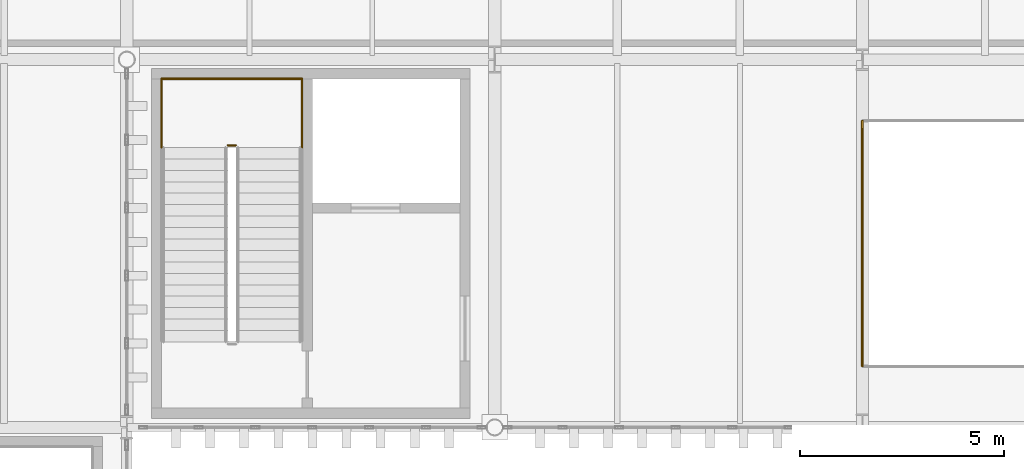
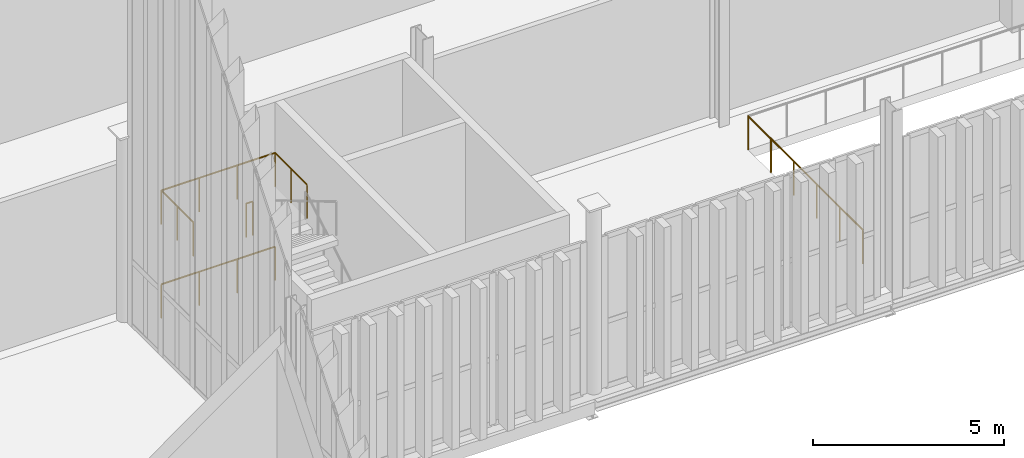
# One storey, part 219 of 237: 6 railings.
"""IFC4 building model written with IfcOpenShell, lengths in metres."""

from ifc_helpers import new_model, si_unit, direction, frame, origin, origin_2d, place, context, subcontext, project, spatial, circle, extrude, material, type_object, element, save


model = new_model("IFC4")

# Units and contexts
model_context = context("Model", 3, precision=1e-05, world=origin(), true_north=direction((0.0, 1.0)))
body_context = subcontext(model_context, "Body", "Model", "MODEL_VIEW")
ifc_project = project(units=[si_unit("LENGTHUNIT", "METRE"), si_unit("AREAUNIT", "SQUARE_METRE"), si_unit("VOLUMEUNIT", "CUBIC_METRE"), si_unit("PLANEANGLEUNIT", "RADIAN"), si_unit("MASSUNIT", "GRAM", prefix="KILO")], contexts=[model_context])

# Site, building, storey
site_placement = place(None, origin())
site = spatial("IfcSite", under=ifc_project, at=site_placement, CompositionType="ELEMENT")
building_placement = place(site_placement, origin())
building = spatial("IfcBuilding", under=site, at=building_placement, Name="Barlavento Convention Centre", CompositionType="ELEMENT")
storey_placement = place(building_placement, frame((0.0, 0.0, 12.0)))
storey = spatial("IfcBuildingStorey", under=building, at=storey_placement, Name="L02", CompositionType="ELEMENT", Elevation=12.0)

# Railings
ifc_material = material(Name="Stainless steel and laminated glass balustrade", Category="steel")
railing_type = type_object("IfcRailingType", Name="ARC-RAL-BAL-1100", PredefinedType="BALUSTRADE", material=ifc_material)
railing_1_placement = place(storey_placement, frame((65.669921875, 51.89990234375, 3.0)))
element("IfcRailing", 1, at=railing_1_placement, inside=storey, type_object=railing_type, Name="L02 ST03 stair guard 2", PredefinedType="BALUSTRADE", context=body_context, shape_type="SweptSolid", body=[
    extrude(circle(Radius=0.02392578125, at=origin_2d()), frame((0.0, 0.0, 1.076171875), z_axis=(-1.0, 0.0, 0.0), x_axis=(0.0, -1.0, 0.0)), (0.0, 0.0, 1.0), 0.199951171875),
    extrude(circle(Radius=0.02099609375, at=origin_2d()), origin(), (0.0, 0.0, 1.0), 1.052001953125),
    extrude(circle(Radius=0.02099609375, at=origin_2d()), frame((-0.199951171875, 0.0, 0.0)), (0.0, 0.0, 1.0), 1.052001953125),
])
for number, where, name in (
    (2, (67.2900390625, 51.85009765625, 3.0), "L02 landing guard GR01"),
    (3, (63.85009765625, 51.85009765625, 3.0), "L02 landing guard GR01"),
):
    element("IfcRailing", number, at=place(storey_placement, frame(where)), inside=storey, type_object=railing_type, Name=name, PredefinedType="BALUSTRADE", context=body_context, shape_type="SweptSolid", body=[
        extrude(circle(Radius=0.02392578125, at=origin_2d()), frame((0.0, 0.0, 1.076171875), z_axis=(0.0, 1.0, 0.0), x_axis=(-1.0, 0.0, 0.0)), (0.0, 0.0, 1.0), 1.679931640625),
        extrude(circle(Radius=0.02099609375, at=origin_2d()), origin(), (0.0, 0.0, 1.0), 1.052001953125),
        extrude(circle(Radius=0.02099609375, at=origin_2d()), frame((0.0, 0.83984375, 0.0)), (0.0, 0.0, 1.0), 1.052001953125),
        extrude(circle(Radius=0.02099609375, at=origin_2d()), frame((0.0, 1.679931640625, 0.0)), (0.0, 0.0, 1.0), 1.052001953125),
    ])
for number, where, name in (
    (4, (67.2900390625, 53.530029296875, 3.0), "L02 landing guard GR01"),
    (5, (67.2900390625, 53.530029296875, 0.0), "L02 stairwell perimeter guard GR01"),
):
    element("IfcRailing", number, at=place(storey_placement, frame(where)), inside=storey, type_object=railing_type, Name=name, PredefinedType="BALUSTRADE", context=body_context, shape_type="SweptSolid", body=[
        extrude(circle(Radius=0.02392578125, at=origin_2d()), frame((0.0, 0.0, 1.076171875), z_axis=(-1.0, 0.0, 0.0), x_axis=(0.0, -1.0, 0.0)), (0.0, 0.0, 1.0), 3.43994140625),
        extrude(circle(Radius=0.02099609375, at=origin_2d()), origin(), (0.0, 0.0, 1.0), 1.052001953125),
        extrude(circle(Radius=0.02099609375, at=origin_2d()), frame((-1.146728515625, 0.0, 0.0)), (0.0, 0.0, 1.0), 1.052001953125),
        extrude(circle(Radius=0.02099609375, at=origin_2d()), frame((-2.293212890625, 0.0, 0.0)), (0.0, 0.0, 1.0), 1.052001953125),
        extrude(circle(Radius=0.02099609375, at=origin_2d()), frame((-3.43994140625, 0.0, 0.0)), (0.0, 0.0, 1.0), 1.052001953125),
    ])
railing_2_placement = place(storey_placement, frame((81.0, 52.5, 0.0)))
element("IfcRailing", 6, at=railing_2_placement, inside=storey, type_object=railing_type, Name="L02 interior atrium or gallery balustrade GR01", PredefinedType="BALUSTRADE", context=body_context, shape_type="SweptSolid", body=[
    extrude(circle(Radius=0.02392578125, at=origin_2d()), frame((0.0, 0.0, 1.076171875), z_axis=(0.0, -1.0, 0.0), x_axis=(1.0, 0.0, 0.0)), (0.0, 0.0, 1.0), 6.0),
    extrude(circle(Radius=0.02099609375, at=origin_2d()), origin(), (0.0, 0.0, 1.0), 1.052001953125),
    extrude(circle(Radius=0.02099609375, at=origin_2d()), frame((0.0, -1.199951171875, 0.0)), (0.0, 0.0, 1.0), 1.052001953125),
    extrude(circle(Radius=0.02099609375, at=origin_2d()), frame((0.0, -2.39990234375, 0.0)), (0.0, 0.0, 1.0), 1.052001953125),
    extrude(circle(Radius=0.02099609375, at=origin_2d()), frame((0.0, -3.60009765625, 0.0)), (0.0, 0.0, 1.0), 1.052001953125),
    extrude(circle(Radius=0.02099609375, at=origin_2d()), frame((0.0, -4.800048828125, 0.0)), (0.0, 0.0, 1.0), 1.052001953125),
    extrude(circle(Radius=0.02099609375, at=origin_2d()), frame((0.0, -6.0, 0.0)), (0.0, 0.0, 1.0), 1.052001953125),
])

save(model, "model.ifc")
